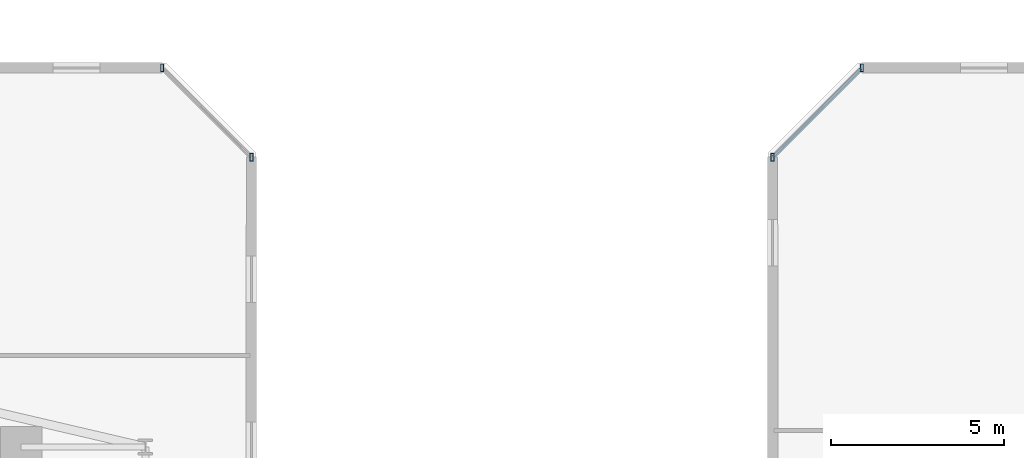
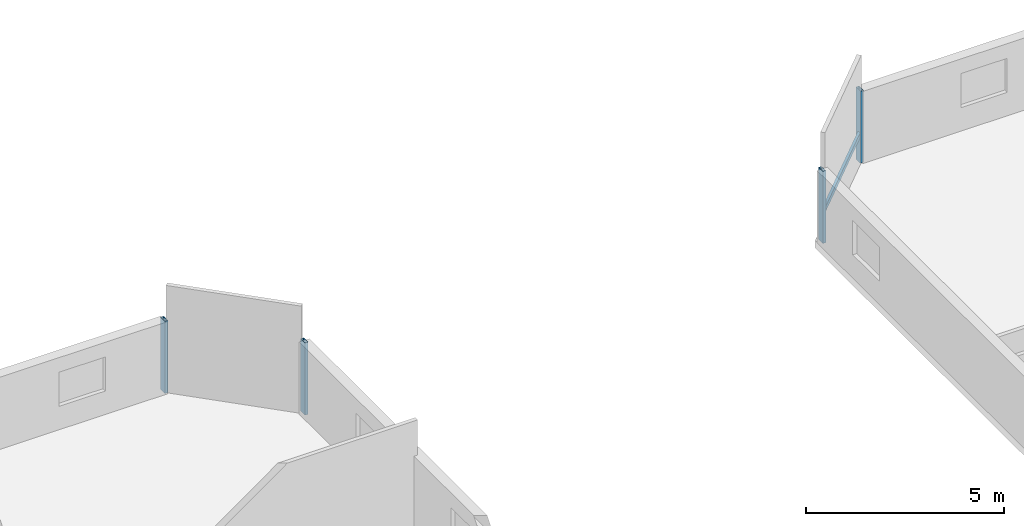
# One storey, part 10 of 36: 5 members, 2 elements without a shape of their own.
"""IFC4 building model written with IfcOpenShell, lengths in metres."""

from ifc_helpers import new_model, si_unit, direction, frame, origin, origin_2d, place, context, subcontext, project, spatial, hollow_rectangle, extrude, material, material_profile, profile_set, type_object, element, aggregate, save


model = new_model("IFC4")

# Units and contexts
model_context = context("Model", 3, precision=1e-05, world=origin(), true_north=direction((0.0, 1.0)))
body_context = subcontext(model_context, "Body", "Model", "MODEL_VIEW")
ifc_project = project(units=[si_unit("LENGTHUNIT", "METRE"), si_unit("AREAUNIT", "SQUARE_METRE"), si_unit("VOLUMEUNIT", "CUBIC_METRE"), si_unit("PLANEANGLEUNIT", "RADIAN"), si_unit("MASSUNIT", "GRAM", prefix="KILO")], contexts=[model_context])

# Site, building, storey
site_placement = place(None, origin())
site = spatial("IfcSite", under=ifc_project, at=site_placement, CompositionType="ELEMENT")
building_placement = place(site_placement, origin())
building = spatial("IfcBuilding", under=site, at=building_placement, Name="Thornwick Lancets Civic Towers", CompositionType="ELEMENT")
storey_placement = place(building_placement, frame((0.0, 0.0, 94.5)))
storey = spatial("IfcBuildingStorey", under=building, at=storey_placement, Name="L24", CompositionType="ELEMENT", Elevation=94.5)

# Curtain wall, members
ifc_material_1 = material(Name="Low-zone chamfered-corner unitised glass curtain wall", Category="glass")
curtain_wall_type = type_object("IfcCurtainWallType", Name="CW_SYS_03", PredefinedType="NOTDEFINED", material=ifc_material_1)
curtain_wall_1_placement = place(storey_placement, origin())
curtain_wall_1 = element("IfcCurtainWall", 1, at=curtain_wall_1_placement, inside=storey, type_object=curtain_wall_type, Name="L24 Curtain Wall CW-L24-A-E3", PredefinedType="NOTDEFINED")
ifc_material_2 = material(Name="Thermally broken bronze aluminium S355", Category="steel")
ifc_material_profile_1 = material_profile(ifc_material_2, hollow_rectangle(XDim=0.090087890625, YDim=0.219970703125, WallThickness=0.00634765625, at=origin_2d()), Name="RHS 220x90x6.3")
ifc_profile_set_1 = profile_set([ifc_material_profile_1], Name="Thermally broken bronze aluminium S355")
member_type_1 = type_object("IfcMemberType", Name="CW_MUL_220", PredefinedType="MULLION", material=ifc_profile_set_1)
member_1_placement = place(storey_placement, frame((49.464599609375, 48.38134765625, 0.0), z_axis=(0.0, 0.0, 1.0), x_axis=(1.0, 0.0, 0.0)))
member_1 = element("IfcMember", 2, at=member_1_placement, type_object=member_type_1, Name="CW-L24-A-E3 Mullion 0", PredefinedType="MULLION", context=body_context, shape_type="SweptSolid", body=[
    extrude(hollow_rectangle(XDim=0.090087890625, YDim=0.219970703125, WallThickness=0.00634765625, at=origin_2d()), origin(), (0.0, 0.0, 1.0), 2.219970703125),
])
member_2_placement = place(storey_placement, frame((46.88134765625, 50.964599609375, 0.0), z_axis=(0.0, 0.0, 1.0), x_axis=(1.0, 0.0, 0.0)))
member_2 = element("IfcMember", 3, at=member_2_placement, type_object=member_type_1, Name="CW-L24-A-E3 Mullion 1", PredefinedType="MULLION", context=body_context, shape_type="SweptSolid", body=[
    extrude(hollow_rectangle(XDim=0.090087890625, YDim=0.219970703125, WallThickness=0.00634765625, at=origin_2d()), origin(), (0.0, 0.0, 1.0), 2.219970703125),
])
aggregate(curtain_wall_1, [member_1, member_2])

curtain_wall_2_placement = place(storey_placement, origin())
curtain_wall_2 = element("IfcCurtainWall", 4, at=curtain_wall_2_placement, inside=storey, type_object=curtain_wall_type, Name="L24 Curtain Wall CW-L24-B-E5", PredefinedType="NOTDEFINED")
member_3_placement = place(storey_placement, frame((67.11865234375, 50.964599609375, 0.0), z_axis=(0.0, 0.0, 1.0), x_axis=(1.0, 0.0, 0.0)))
member_3 = element("IfcMember", 5, at=member_3_placement, type_object=member_type_1, Name="CW-L24-B-E5 Mullion 0", PredefinedType="MULLION", context=body_context, shape_type="SweptSolid", body=[
    extrude(hollow_rectangle(XDim=0.090087890625, YDim=0.219970703125, WallThickness=0.00634765625, at=origin_2d()), origin(), (0.0, 0.0, 1.0), 2.219970703125),
])
member_4_placement = place(storey_placement, frame((64.535400390625, 48.38134765625, 0.0), z_axis=(0.0, 0.0, 1.0), x_axis=(1.0, 0.0, 0.0)))
member_4 = element("IfcMember", 6, at=member_4_placement, type_object=member_type_1, Name="CW-L24-B-E5 Mullion 1", PredefinedType="MULLION", context=body_context, shape_type="SweptSolid", body=[
    extrude(hollow_rectangle(XDim=0.090087890625, YDim=0.219970703125, WallThickness=0.00634765625, at=origin_2d()), origin(), (0.0, 0.0, 1.0), 2.219970703125),
])
ifc_material_profile_2 = material_profile(ifc_material_2, hollow_rectangle(XDim=0.074951171875, YDim=0.14990234375, WallThickness=0.0048828125, at=origin_2d()), Name="RHS 150x75x5")
ifc_profile_set_2 = profile_set([ifc_material_profile_2], Name="Thermally broken bronze aluminium S355")
member_type_2 = type_object("IfcMemberType", Name="CW_TRN_150", PredefinedType="USERDEFINED", material=ifc_profile_set_2)
member_5_placement = place(storey_placement, frame((67.1044921875, 50.95068359375, 0.85009765625), z_axis=(-0.707106781187, -0.707106781187, 0.0), x_axis=(0.707106781187, -0.707106781187, 0.0)))
member_5 = element("IfcMember", 7, at=member_5_placement, type_object=member_type_2, Name="CW-L24-B-E5 Transom 0", ObjectType="TRANSOM", PredefinedType="USERDEFINED", context=body_context, shape_type="SweptSolid", body=[
    extrude(hollow_rectangle(XDim=0.074951171875, YDim=0.14990234375, WallThickness=0.0048828125, at=origin_2d()), origin(), (0.0, 0.0, 1.0), 3.613525390625),
])
aggregate(curtain_wall_2, [member_3, member_4, member_5])

save(model, "model.ifc")
